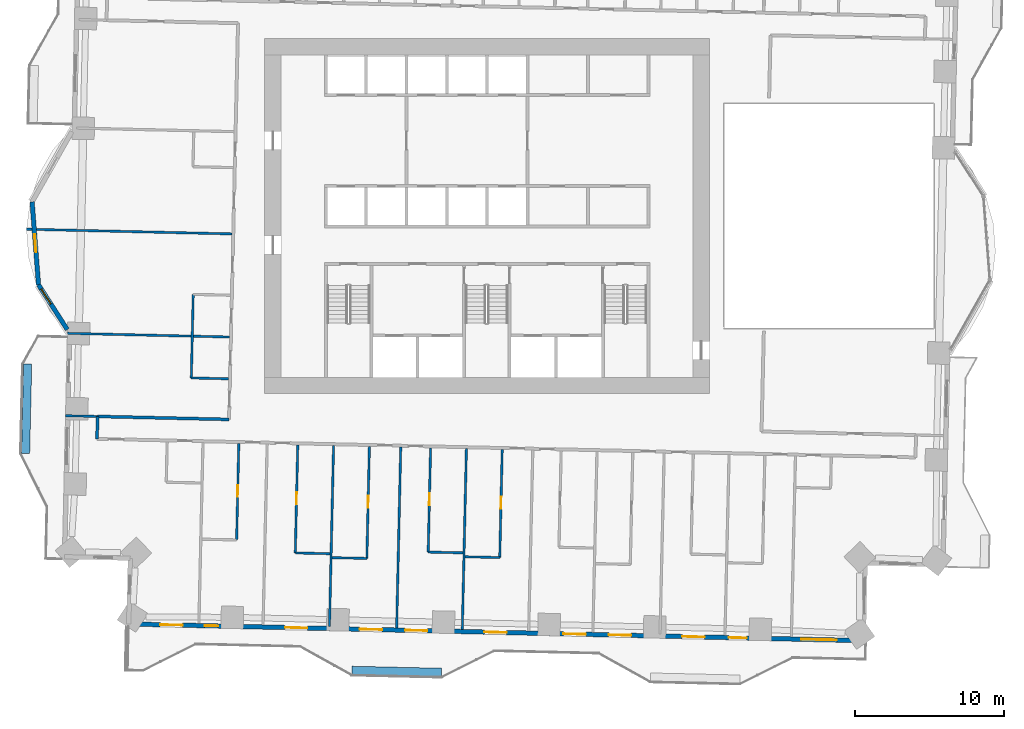
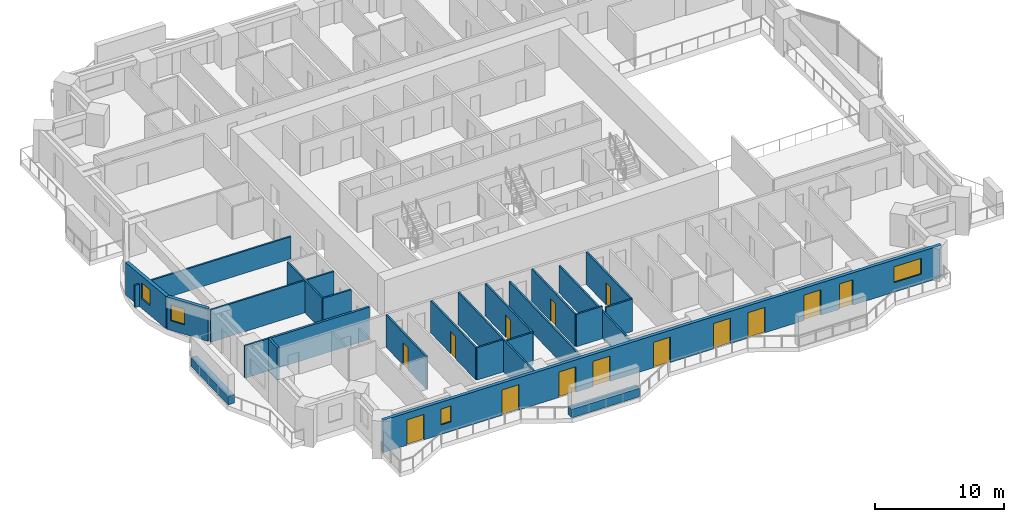
# One storey, part 7 of 18: 24 walls, 14 doors, 4 windows, 18 openings.
"""IFC4 building model written with IfcOpenShell, lengths in metres."""

from ifc_helpers import new_model, si_unit, direction, frame, frame_2d, origin, place, context, subcontext, project, spatial, rectangle, extrude, material, layer, layer_set, type_object, element, fill, save


model = new_model("IFC4")

# Units and contexts
model_context = context("Model", 3, precision=1e-05, world=origin(), true_north=direction((0.0, 1.0)))
body_context = subcontext(model_context, "Body", "Model", "MODEL_VIEW")
ifc_project = project(units=[si_unit("LENGTHUNIT", "METRE"), si_unit("AREAUNIT", "SQUARE_METRE"), si_unit("VOLUMEUNIT", "CUBIC_METRE"), si_unit("PLANEANGLEUNIT", "RADIAN"), si_unit("MASSUNIT", "GRAM", prefix="KILO")], contexts=[model_context])

# Site, building, storey
site_placement = place(None, origin())
site = spatial("IfcSite", under=ifc_project, at=site_placement, CompositionType="ELEMENT")
building_placement = place(site_placement, origin())
building = spatial("IfcBuilding", under=site, at=building_placement, Name="Mangrove Gate Tower", CompositionType="ELEMENT")
storey_placement = place(building_placement, frame((0.0, 0.0, 56.699951171875)))
storey = spatial("IfcBuildingStorey", under=building, at=storey_placement, Name="L13", CompositionType="ELEMENT", Elevation=56.699951171875)

# Walls
ifc_material_1 = material(Name="Gypsum board on steel stud, EI 60", Category="steel")
ifc_layer_1 = layer(ifc_material_1, 0.199951171875)
ifc_layer_set_1 = layer_set([ifc_layer_1], Name="Corridor wall EI 60")
wall_type_1 = type_object("IfcWallType", Name="Corridor wall EI 60", PredefinedType="PARTITIONING", material=ifc_layer_set_1)
wall_1_placement = place(storey_placement, frame((-26.1279296875, -14.924072265625, 0.0), z_axis=(0.0, 0.0, 1.0), x_axis=(0.022632637625, 0.99974384905, 0.0)))
element("IfcWall", 1, at=wall_1_placement, inside=storey, type_object=wall_type_1, Name="WALL-L13-033", PredefinedType="PARTITIONING", context=body_context, shape_type="SweptSolid", body=[
    extrude(rectangle(XDim=1.49951171875, YDim=0.199951171875, at=frame_2d((0.749755859375, 0.0))), origin(), (0.0, 0.0, 1.0), 3.050048828125),
])
wall_2_placement = place(storey_placement, frame((-26.092041015625, -13.425048828125, 0.0), z_axis=(0.0, 0.0, 1.0), x_axis=(0.999742550188, -0.022689939273, 0.0)))
element("IfcWall", 2, at=wall_2_placement, inside=storey, type_object=wall_type_1, Name="WALL-L13-037", PredefinedType="PARTITIONING", context=body_context, shape_type="SweptSolid", body=[
    extrude(rectangle(XDim=8.812255859375, YDim=0.199951171875, at=frame_2d((4.40625, 0.0))), origin(), (0.0, 0.0, 1.0), 3.050048828125),
])

# Wall, opening, window
ifc_material_2 = material(Name="Limestone", Category="masonry")
ifc_layer_2 = layer(ifc_material_2, 0.0400390625, Name="Limestone cladding")
ifc_material_3 = material(Name="Ventilated air gap")
ifc_layer_3 = layer(ifc_material_3, 0.0400390625, Name="Ventilated cavity")
ifc_material_4 = material(Name="Mineral wool insulation")
ifc_layer_4 = layer(ifc_material_4, 0.06005859375, Name="Insulation")
ifc_material_5 = material(Name="Breather membrane")
ifc_layer_5 = layer(ifc_material_5, 0.001953125, Name="Breather membrane")
ifc_material_6 = material(Name="Concrete C20/25 blockwork", Category="masonry")
ifc_layer_6 = layer(ifc_material_6, 0.14990234375, Name="Blockwork backing wall")
ifc_material_7 = material(Name="Gypsum plaster")
ifc_layer_7 = layer(ifc_material_7, 0.008056640625, Name="Internal plaster")
ifc_layer_set_2 = layer_set([ifc_layer_2, ifc_layer_3, ifc_layer_4, ifc_layer_5, ifc_layer_6, ifc_layer_7], Name="External wall 300 limestone cladding")
wall_type_2 = type_object("IfcWallType", Name="External wall 300 limestone cladding", PredefinedType="SOLIDWALL", material=ifc_layer_set_2)
wall_3_placement = place(storey_placement, frame((-30.47900390625, 0.951904296875, 0.0), z_axis=(0.0, 0.0, 1.0), x_axis=(0.076964476481, -0.997033835614, 0.0)))
wall_3 = element("IfcWall", 3, at=wall_3_placement, inside=storey, type_object=wall_type_2, Name="WALL-L13-W9f2", PredefinedType="SOLIDWALL", context=body_context, shape_type="SweptSolid", body=[
    extrude(rectangle(XDim=5.573486328125, YDim=0.300048828125, at=frame_2d((2.78662109375, 0.0))), origin(), (0.0, 0.0, 1.0), 3.050048828125),
])
opening_1_placement = place(wall_3_placement, frame((2.18603515625, 0.0, 0.89990234375)))
opening_1 = element("IfcOpeningElement", 4, at=opening_1_placement, cuts=wall_3, Name="Opening W1", PredefinedType="OPENING", context=body_context, shape_type="SweptSolid", body=[
    extrude(rectangle(XDim=1.199951171875, YDim=1.5, at=frame_2d((0.60009765625, 0.75))), frame((0.0, 0.159912109375, 0.0), z_axis=(0.0, -1.0, 0.0), x_axis=(1.0, 0.0, 0.0)), (0.0, 0.0, 1.0), 0.320068359375),
])
ifc_material_8 = material(Name="Aluminium frame with double-glazed low-e glass", Category="aluminium")
window_type_1 = type_object("IfcWindowType", Name="Side lite 1200x1500", PartitioningType="SINGLE_PANEL", PredefinedType="WINDOW", material=ifc_material_8)
window_1_placement = place(opening_1_placement, origin())
window_1 = element("IfcWindow", 5, at=window_1_placement, inside=storey, type_object=window_type_1, Name="WIN-L13-W9f2", OverallHeight=1.5, OverallWidth=1.199951171875, PartitioningType="SINGLE_PANEL", PredefinedType="WINDOW", context=body_context, shape_type="SweptSolid", body=[
    extrude(rectangle(XDim=1.199951171875, YDim=1.5, at=frame_2d((0.60009765625, 0.75))), frame((0.0, 0.030029296875, 0.0), z_axis=(0.0, -1.0, 0.0), x_axis=(1.0, 0.0, 0.0)), (0.0, 0.0, 1.0), 0.06005859375),
])
fill(opening_1, window_1)

wall_4_placement = place(storey_placement, frame((-30.050048828125, -4.60498046875, 0.0), z_axis=(0.0, 0.0, 1.0), x_axis=(0.540653885242, -0.841245134532, 0.0)))
wall_4 = element("IfcWall", 6, at=wall_4_placement, inside=storey, type_object=wall_type_2, Name="WALL-L13-W9f3", PredefinedType="SOLIDWALL", context=body_context, shape_type="SweptSolid", body=[
    extrude(rectangle(XDim=3.569580078125, YDim=0.300048828125, at=frame_2d((1.78466796875, 0.0))), origin(), (0.0, 0.0, 1.0), 3.050048828125),
])
opening_2_placement = place(wall_4_placement, frame((0.337890625, 0.0, 0.89990234375)))
opening_2 = element("IfcOpeningElement", 7, at=opening_2_placement, cuts=wall_4, Name="Opening W1", PredefinedType="OPENING", context=body_context, shape_type="SweptSolid", body=[
    extrude(rectangle(XDim=1.199951171875, YDim=1.5, at=frame_2d((0.60009765625, 0.75))), frame((0.0, 0.159912109375, 0.0), z_axis=(0.0, -1.0, 0.0), x_axis=(1.0, 0.0, 0.0)), (0.0, 0.0, 1.0), 0.320068359375),
])
window_2_placement = place(opening_2_placement, origin())
window_2 = element("IfcWindow", 8, at=window_2_placement, inside=storey, type_object=window_type_1, Name="WIN-L13-W9f3", OverallHeight=1.5, OverallWidth=1.199951171875, PartitioningType="SINGLE_PANEL", PredefinedType="WINDOW", context=body_context, shape_type="SweptSolid", body=[
    extrude(rectangle(XDim=1.199951171875, YDim=1.5, at=frame_2d((0.60009765625, 0.75))), frame((0.0, 0.030029296875, 0.0), z_axis=(0.0, -1.0, 0.0), x_axis=(1.0, 0.0, 0.0)), (0.0, 0.0, 1.0), 0.06005859375),
])
fill(opening_2, window_2)

# Wall, openings, doors, windows
wall_5_placement = place(storey_placement, frame((-24.007080078125, -27.325927734375, 0.0), z_axis=(0.0, 0.0, 1.0), x_axis=(0.999742536491, -0.022690542744, 0.0)))
wall_5 = element("IfcWall", 9, at=wall_5_placement, inside=storey, type_object=wall_type_2, Name="WALL-L13-S13", PredefinedType="SOLIDWALL", context=body_context, shape_type="SweptSolid", body=[
    extrude(rectangle(XDim=49.23583984375, YDim=0.300048828125, at=frame_2d((24.617919921875, 0.0))), origin(), (0.0, 0.0, 1.0), 3.050048828125),
])
opening_3_placement = place(wall_5_placement, frame((2.114990234375, 0.0, 0.0)))
opening_3 = element("IfcOpeningElement", 10, at=opening_3_placement, cuts=wall_5, Name="Opening BD1", PredefinedType="OPENING", context=body_context, shape_type="SweptSolid", body=[
    extrude(rectangle(XDim=1.5, YDim=2.39990234375, at=frame_2d((0.75, 1.199951171875))), frame((0.0, 0.159912109375, 0.0), z_axis=(0.0, -1.0, 0.0), x_axis=(1.0, 0.0, 0.0)), (0.0, 0.0, 1.0), 0.320068359375),
])
opening_4_placement = place(wall_5_placement, frame((5.087890625, 0.0, 0.89990234375)))
opening_4 = element("IfcOpeningElement", 11, at=opening_4_placement, cuts=wall_5, Name="Opening W5", PredefinedType="OPENING", context=body_context, shape_type="SweptSolid", body=[
    extrude(rectangle(XDim=0.89990234375, YDim=1.5, at=frame_2d((0.449951171875, 0.75))), frame((0.0, 0.159912109375, 0.0), z_axis=(0.0, -1.0, 0.0), x_axis=(1.0, 0.0, 0.0)), (0.0, 0.0, 1.0), 0.320068359375),
])
opening_5_placement = place(wall_5_placement, frame((10.47509765625, 0.0, 0.0)))
opening_5 = element("IfcOpeningElement", 12, at=opening_5_placement, cuts=wall_5, Name="Opening BD1", PredefinedType="OPENING", context=body_context, shape_type="SweptSolid", body=[
    extrude(rectangle(XDim=1.5, YDim=2.39990234375, at=frame_2d((0.75, 1.199951171875))), frame((0.0, 0.159912109375, 0.0), z_axis=(0.0, -1.0, 0.0), x_axis=(1.0, 0.0, 0.0)), (0.0, 0.0, 1.0), 0.320068359375),
])
opening_6_placement = place(wall_5_placement, frame((15.47705078125, 0.0, 0.0)))
opening_6 = element("IfcOpeningElement", 13, at=opening_6_placement, cuts=wall_5, Name="Opening BD1", PredefinedType="OPENING", context=body_context, shape_type="SweptSolid", body=[
    extrude(rectangle(XDim=1.5, YDim=2.39990234375, at=frame_2d((0.75, 1.199951171875))), frame((0.0, 0.159912109375, 0.0), z_axis=(0.0, -1.0, 0.0), x_axis=(1.0, 0.0, 0.0)), (0.0, 0.0, 1.0), 0.320068359375),
])
opening_7_placement = place(wall_5_placement, frame((18.514892578125, 0.0, 0.0)))
opening_7 = element("IfcOpeningElement", 14, at=opening_7_placement, cuts=wall_5, Name="Opening BD1", PredefinedType="OPENING", context=body_context, shape_type="SweptSolid", body=[
    extrude(rectangle(XDim=1.5, YDim=2.39990234375, at=frame_2d((0.75, 1.199951171875))), frame((0.0, 0.159912109375, 0.0), z_axis=(0.0, -1.0, 0.0), x_axis=(1.0, 0.0, 0.0)), (0.0, 0.0, 1.0), 0.320068359375),
])
opening_8_placement = place(wall_5_placement, frame((23.824951171875, 0.0, 0.0)))
opening_8 = element("IfcOpeningElement", 15, at=opening_8_placement, cuts=wall_5, Name="Opening BD1", PredefinedType="OPENING", context=body_context, shape_type="SweptSolid", body=[
    extrude(rectangle(XDim=1.5, YDim=2.39990234375, at=frame_2d((0.75, 1.199951171875))), frame((0.0, 0.159912109375, 0.0), z_axis=(0.0, -1.0, 0.0), x_axis=(1.0, 0.0, 0.0)), (0.0, 0.0, 1.0), 0.320068359375),
])
opening_9_placement = place(wall_5_placement, frame((29.1279296875, 0.0, 0.0)))
opening_9 = element("IfcOpeningElement", 16, at=opening_9_placement, cuts=wall_5, Name="Opening BD1", PredefinedType="OPENING", context=body_context, shape_type="SweptSolid", body=[
    extrude(rectangle(XDim=1.5, YDim=2.39990234375, at=frame_2d((0.75, 1.199951171875))), frame((0.0, 0.159912109375, 0.0), z_axis=(0.0, -1.0, 0.0), x_axis=(1.0, 0.0, 0.0)), (0.0, 0.0, 1.0), 0.320068359375),
])
opening_10_placement = place(wall_5_placement, frame((32.166015625, 0.0, 0.0)))
opening_10 = element("IfcOpeningElement", 17, at=opening_10_placement, cuts=wall_5, Name="Opening BD1", PredefinedType="OPENING", context=body_context, shape_type="SweptSolid", body=[
    extrude(rectangle(XDim=1.5, YDim=2.39990234375, at=frame_2d((0.75, 1.199951171875))), frame((0.0, 0.159912109375, 0.0), z_axis=(0.0, -1.0, 0.0), x_axis=(1.0, 0.0, 0.0)), (0.0, 0.0, 1.0), 0.320068359375),
])
opening_11_placement = place(wall_5_placement, frame((37.091064453125, 0.0, 0.0)))
opening_11 = element("IfcOpeningElement", 18, at=opening_11_placement, cuts=wall_5, Name="Opening BD1", PredefinedType="OPENING", context=body_context, shape_type="SweptSolid", body=[
    extrude(rectangle(XDim=1.5, YDim=2.39990234375, at=frame_2d((0.75, 1.199951171875))), frame((0.0, 0.159912109375, 0.0), z_axis=(0.0, -1.0, 0.0), x_axis=(1.0, 0.0, 0.0)), (0.0, 0.0, 1.0), 0.320068359375),
])
opening_12_placement = place(wall_5_placement, frame((40.205078125, 0.0, 0.0)))
opening_12 = element("IfcOpeningElement", 19, at=opening_12_placement, cuts=wall_5, Name="Opening BD2", PredefinedType="OPENING", context=body_context, shape_type="SweptSolid", body=[
    extrude(rectangle(XDim=1.199951171875, YDim=2.39990234375, at=frame_2d((0.60009765625, 1.199951171875))), frame((0.0, 0.159912109375, 0.0), z_axis=(0.0, -1.0, 0.0), x_axis=(1.0, 0.0, 0.0)), (0.0, 0.0, 1.0), 0.320068359375),
])
opening_13_placement = place(wall_5_placement, frame((45.047119140625, 0.0, 0.89990234375)))
opening_13 = element("IfcOpeningElement", 20, at=opening_13_placement, cuts=wall_5, Name="Opening W2", PredefinedType="OPENING", context=body_context, shape_type="SweptSolid", body=[
    extrude(rectangle(XDim=2.39990234375, YDim=1.5, at=frame_2d((1.199951171875, 0.75))), frame((0.0, 0.159912109375, 0.0), z_axis=(0.0, -1.0, 0.0), x_axis=(1.0, 0.0, 0.0)), (0.0, 0.0, 1.0), 0.320068359375),
])
ifc_material_9 = material(Name="Aluminium frame with laminated clear glass", Category="aluminium")
door_type_1 = type_object("IfcDoorType", Name="Balcony sliding door 1200x2400", OperationType="SLIDING_TO_LEFT", PredefinedType="DOOR", material=ifc_material_9)
door_1_placement = place(opening_12_placement, origin())
door_1 = element("IfcDoor", 21, at=door_1_placement, inside=storey, type_object=door_type_1, Name="DOOR-L13-S13-10", OperationType="SLIDING_TO_LEFT", OverallHeight=2.39990234375, OverallWidth=1.199951171875, PredefinedType="DOOR", context=body_context, shape_type="SweptSolid", body=[
    extrude(rectangle(XDim=1.199951171875, YDim=2.39990234375, at=frame_2d((0.60009765625, 1.199951171875))), frame((0.0, 0.02490234375, 0.0), z_axis=(0.0, -1.0, 0.0), x_axis=(1.0, 0.0, 0.0)), (0.0, 0.0, 1.0), 0.050048828125),
])
fill(opening_12, door_1)
ifc_material_10 = material(Name="Aluminium frame with laminated clear glass", Category="aluminium")
door_type_2 = type_object("IfcDoorType", Name="Balcony sliding door 1500x2400", OperationType="SLIDING_TO_LEFT", PredefinedType="DOOR", material=ifc_material_10)
door_2_placement = place(opening_3_placement, origin())
door_2 = element("IfcDoor", 22, at=door_2_placement, inside=storey, type_object=door_type_2, Name="DOOR-L13-S13-1", OperationType="SLIDING_TO_LEFT", OverallHeight=2.39990234375, OverallWidth=1.5, PredefinedType="DOOR", context=body_context, shape_type="SweptSolid", body=[
    extrude(rectangle(XDim=1.5, YDim=2.39990234375, at=frame_2d((0.75, 1.199951171875))), frame((0.0, 0.02490234375, 0.0), z_axis=(0.0, -1.0, 0.0), x_axis=(1.0, 0.0, 0.0)), (0.0, 0.0, 1.0), 0.050048828125),
])
fill(opening_3, door_2)
door_3_placement = place(opening_5_placement, origin())
door_3 = element("IfcDoor", 23, at=door_3_placement, inside=storey, type_object=door_type_2, Name="DOOR-L13-S13-3", OperationType="SLIDING_TO_LEFT", OverallHeight=2.39990234375, OverallWidth=1.5, PredefinedType="DOOR", context=body_context, shape_type="SweptSolid", body=[
    extrude(rectangle(XDim=1.5, YDim=2.39990234375, at=frame_2d((0.75, 1.199951171875))), frame((0.0, 0.02490234375, 0.0), z_axis=(0.0, -1.0, 0.0), x_axis=(1.0, 0.0, 0.0)), (0.0, 0.0, 1.0), 0.050048828125),
])
fill(opening_5, door_3)
door_4_placement = place(opening_6_placement, origin())
door_4 = element("IfcDoor", 24, at=door_4_placement, inside=storey, type_object=door_type_2, Name="DOOR-L13-S13-4", OperationType="SLIDING_TO_LEFT", OverallHeight=2.39990234375, OverallWidth=1.5, PredefinedType="DOOR", context=body_context, shape_type="SweptSolid", body=[
    extrude(rectangle(XDim=1.5, YDim=2.39990234375, at=frame_2d((0.75, 1.199951171875))), frame((0.0, 0.02490234375, 0.0), z_axis=(0.0, -1.0, 0.0), x_axis=(1.0, 0.0, 0.0)), (0.0, 0.0, 1.0), 0.050048828125),
])
fill(opening_6, door_4)
door_5_placement = place(opening_7_placement, origin())
door_5 = element("IfcDoor", 25, at=door_5_placement, inside=storey, type_object=door_type_2, Name="DOOR-L13-S13-5", OperationType="SLIDING_TO_LEFT", OverallHeight=2.39990234375, OverallWidth=1.5, PredefinedType="DOOR", context=body_context, shape_type="SweptSolid", body=[
    extrude(rectangle(XDim=1.5, YDim=2.39990234375, at=frame_2d((0.75, 1.199951171875))), frame((0.0, 0.02490234375, 0.0), z_axis=(0.0, -1.0, 0.0), x_axis=(1.0, 0.0, 0.0)), (0.0, 0.0, 1.0), 0.050048828125),
])
fill(opening_7, door_5)
door_6_placement = place(opening_8_placement, origin())
door_6 = element("IfcDoor", 26, at=door_6_placement, inside=storey, type_object=door_type_2, Name="DOOR-L13-S13-6", OperationType="SLIDING_TO_LEFT", OverallHeight=2.39990234375, OverallWidth=1.5, PredefinedType="DOOR", context=body_context, shape_type="SweptSolid", body=[
    extrude(rectangle(XDim=1.5, YDim=2.39990234375, at=frame_2d((0.75, 1.199951171875))), frame((0.0, 0.02490234375, 0.0), z_axis=(0.0, -1.0, 0.0), x_axis=(1.0, 0.0, 0.0)), (0.0, 0.0, 1.0), 0.050048828125),
])
fill(opening_8, door_6)
door_7_placement = place(opening_9_placement, origin())
door_7 = element("IfcDoor", 27, at=door_7_placement, inside=storey, type_object=door_type_2, Name="DOOR-L13-S13-7", OperationType="SLIDING_TO_LEFT", OverallHeight=2.39990234375, OverallWidth=1.5, PredefinedType="DOOR", context=body_context, shape_type="SweptSolid", body=[
    extrude(rectangle(XDim=1.5, YDim=2.39990234375, at=frame_2d((0.75, 1.199951171875))), frame((0.0, 0.02490234375, 0.0), z_axis=(0.0, -1.0, 0.0), x_axis=(1.0, 0.0, 0.0)), (0.0, 0.0, 1.0), 0.050048828125),
])
fill(opening_9, door_7)
door_8_placement = place(opening_10_placement, origin())
door_8 = element("IfcDoor", 28, at=door_8_placement, inside=storey, type_object=door_type_2, Name="DOOR-L13-S13-8", OperationType="SLIDING_TO_LEFT", OverallHeight=2.39990234375, OverallWidth=1.5, PredefinedType="DOOR", context=body_context, shape_type="SweptSolid", body=[
    extrude(rectangle(XDim=1.5, YDim=2.39990234375, at=frame_2d((0.75, 1.199951171875))), frame((0.0, 0.02490234375, 0.0), z_axis=(0.0, -1.0, 0.0), x_axis=(1.0, 0.0, 0.0)), (0.0, 0.0, 1.0), 0.050048828125),
])
fill(opening_10, door_8)
door_9_placement = place(opening_11_placement, origin())
door_9 = element("IfcDoor", 29, at=door_9_placement, inside=storey, type_object=door_type_2, Name="DOOR-L13-S13-9", OperationType="SLIDING_TO_LEFT", OverallHeight=2.39990234375, OverallWidth=1.5, PredefinedType="DOOR", context=body_context, shape_type="SweptSolid", body=[
    extrude(rectangle(XDim=1.5, YDim=2.39990234375, at=frame_2d((0.75, 1.199951171875))), frame((0.0, 0.02490234375, 0.0), z_axis=(0.0, -1.0, 0.0), x_axis=(1.0, 0.0, 0.0)), (0.0, 0.0, 1.0), 0.050048828125),
])
fill(opening_11, door_9)
ifc_material_11 = material(Name="Aluminium frame with double-glazed low-e glass", Category="aluminium")
window_type_2 = type_object("IfcWindowType", Name="Corner room window 2400x1500", PartitioningType="DOUBLE_PANEL_VERTICAL", PredefinedType="WINDOW", material=ifc_material_11)
window_3_placement = place(opening_13_placement, origin())
window_3 = element("IfcWindow", 30, at=window_3_placement, inside=storey, type_object=window_type_2, Name="WIN-L13-S13-11", OverallHeight=1.5, OverallWidth=2.39990234375, PartitioningType="DOUBLE_PANEL_VERTICAL", PredefinedType="WINDOW", context=body_context, shape_type="SweptSolid", body=[
    extrude(rectangle(XDim=2.39990234375, YDim=1.5, at=frame_2d((1.199951171875, 0.75))), frame((0.0, 0.030029296875, 0.0), z_axis=(0.0, -1.0, 0.0), x_axis=(1.0, 0.0, 0.0)), (0.0, 0.0, 1.0), 0.06005859375),
])
fill(opening_13, window_3)
ifc_material_12 = material(Name="Aluminium frame with double-glazed low-e glass", Category="aluminium")
window_type_3 = type_object("IfcWindowType", Name="Narrow window 900x1500", PartitioningType="SINGLE_PANEL", PredefinedType="WINDOW", material=ifc_material_12)
window_4_placement = place(opening_4_placement, origin())
window_4 = element("IfcWindow", 31, at=window_4_placement, inside=storey, type_object=window_type_3, Name="WIN-L13-S13-2", OverallHeight=1.5, OverallWidth=0.89990234375, PartitioningType="SINGLE_PANEL", PredefinedType="WINDOW", context=body_context, shape_type="SweptSolid", body=[
    extrude(rectangle(XDim=0.89990234375, YDim=1.5, at=frame_2d((0.449951171875, 0.75))), frame((0.0, 0.030029296875, 0.0), z_axis=(0.0, -1.0, 0.0), x_axis=(1.0, 0.0, 0.0)), (0.0, 0.0, 1.0), 0.06005859375),
])
fill(opening_4, window_4)

# Walls
ifc_material_13 = material(Name="Gypsum board on steel stud, EI 60", Category="steel")
ifc_layer_8 = layer(ifc_material_13, 0.14990234375)
ifc_layer_set_3 = layer_set([ifc_layer_8], Name="Party wall 150 EI 60")
wall_type_3 = type_object("IfcWallType", Name="Party wall 150 EI 60", PredefinedType="PARTITIONING", material=ifc_layer_set_3)
wall_6_placement = place(storey_placement, frame((-10.55908203125, -27.48095703125, 0.0), z_axis=(0.0, 0.0, 1.0), x_axis=(0.022658614335, 0.999743260641, 0.0)))
element("IfcWall", 32, at=wall_6_placement, inside=storey, type_object=wall_type_3, Name="WALL-L13-003", PredefinedType="PARTITIONING", context=body_context, shape_type="SweptSolid", body=[
    extrude(rectangle(XDim=12.10009765625, YDim=0.14990234375, at=frame_2d((6.050048828125, 0.0))), origin(), (0.0, 0.0, 1.0), 3.050048828125),
])
wall_7_placement = place(storey_placement, frame((-6.06005859375, -27.5830078125, 0.0), z_axis=(0.0, 0.0, 1.0), x_axis=(0.022658614335, 0.999743260641, 0.0)))
element("IfcWall", 33, at=wall_7_placement, inside=storey, type_object=wall_type_3, Name="WALL-L13-004", PredefinedType="PARTITIONING", context=body_context, shape_type="SweptSolid", body=[
    extrude(rectangle(XDim=12.10009765625, YDim=0.14990234375, at=frame_2d((6.050048828125, 0.0))), origin(), (0.0, 0.0, 1.0), 2.550048828125),
])
wall_8_placement = place(storey_placement, frame((-1.660888671875, -27.68310546875, 0.0), z_axis=(0.0, 0.0, 1.0), x_axis=(0.022637991173, 0.99974372784, 0.0)))
element("IfcWall", 34, at=wall_8_placement, inside=storey, type_object=wall_type_3, Name="WALL-L13-005", PredefinedType="PARTITIONING", context=body_context, shape_type="SweptSolid", body=[
    extrude(rectangle(XDim=12.100341796875, YDim=0.14990234375, at=frame_2d((6.05029296875, 0.0))), origin(), (0.0, 0.0, 1.0), 2.550048828125),
])
wall_9_placement = place(storey_placement, frame((-10.3779296875, -22.884033203125, 0.0), z_axis=(0.0, 0.0, 1.0), x_axis=(0.999749954681, -0.022361308448, 0.0)))
element("IfcWall", 35, at=wall_9_placement, inside=storey, type_object=wall_type_3, Name="WALL-L13-011", PredefinedType="PARTITIONING", context=body_context, shape_type="SweptSolid", body=[
    extrude(rectangle(XDim=2.325439453125, YDim=0.14990234375, at=frame_2d((1.16259765625, 0.0))), origin(), (0.0, 0.0, 1.0), 3.050048828125),
])

# Wall, opening, door
wall_10_placement = place(storey_placement, frame((-8.054931640625, -22.93603515625, 0.0), z_axis=(0.0, 0.0, 1.0), x_axis=(0.022656334507, 0.999743312309, 0.0)))
wall_10 = element("IfcWall", 36, at=wall_10_placement, inside=storey, type_object=wall_type_3, Name="WALL-L13-012", PredefinedType="PARTITIONING", context=body_context, shape_type="SweptSolid", body=[
    extrude(rectangle(XDim=7.5, YDim=0.14990234375, at=frame_2d((3.75, 0.0))), origin(), (0.0, 0.0, 1.0), 3.050048828125),
])
opening_14_placement = place(wall_10_placement, frame((3.39990234375, 0.0, 0.0)))
opening_14 = element("IfcOpeningElement", 37, at=opening_14_placement, cuts=wall_10, Name="Opening ED", PredefinedType="OPENING", context=body_context, shape_type="SweptSolid", body=[
    extrude(rectangle(XDim=0.800048828125, YDim=2.10009765625, at=frame_2d((0.39990234375, 1.050048828125))), frame((0.0, 0.0849609375, 0.0), z_axis=(0.0, -1.0, 0.0), x_axis=(1.0, 0.0, 0.0)), (0.0, 0.0, 1.0), 0.169921875),
])
ifc_material_14 = material(Name="Timber door leaf", Category="wood")
door_type_3 = type_object("IfcDoorType", Name="En-suite door 800", OperationType="SINGLE_SWING_LEFT", PredefinedType="DOOR", material=ifc_material_14)
door_10_placement = place(opening_14_placement, origin())
door_10 = element("IfcDoor", 38, at=door_10_placement, inside=storey, type_object=door_type_3, Name="DOOR-L13-ENS-c103", OperationType="SINGLE_SWING_LEFT", OverallHeight=2.10009765625, OverallWidth=0.800048828125, PredefinedType="DOOR", context=body_context, shape_type="SweptSolid", body=[
    extrude(rectangle(XDim=0.800048828125, YDim=2.10009765625, at=frame_2d((0.39990234375, 1.050048828125))), frame((0.0, 0.02490234375, 0.0), z_axis=(0.0, -1.0, 0.0), x_axis=(1.0, 0.0, 0.0)), (0.0, 0.0, 1.0), 0.050048828125),
])
fill(opening_14, door_10)

wall_11_placement = place(storey_placement, frame((-12.847900390625, -22.568115234375, 0.0), z_axis=(0.0, 0.0, 1.0), x_axis=(0.022624135841, 0.999744041481, 0.0)))
wall_11 = element("IfcWall", 39, at=wall_11_placement, inside=storey, type_object=wall_type_3, Name="WALL-L13-015", PredefinedType="PARTITIONING", context=body_context, shape_type="SweptSolid", body=[
    extrude(rectangle(XDim=7.240966796875, YDim=0.14990234375, at=frame_2d((3.62060546875, 0.0))), origin(), (0.0, 0.0, 1.0), 3.050048828125),
])
opening_15_placement = place(wall_11_placement, frame((3.27001953125, 0.0, 0.0)))
opening_15 = element("IfcOpeningElement", 40, at=opening_15_placement, cuts=wall_11, Name="Opening ED", PredefinedType="OPENING", context=body_context, shape_type="SweptSolid", body=[
    extrude(rectangle(XDim=0.800048828125, YDim=2.10009765625, at=frame_2d((0.39990234375, 1.050048828125))), frame((0.0, 0.0849609375, 0.0), z_axis=(0.0, -1.0, 0.0), x_axis=(1.0, 0.0, 0.0)), (0.0, 0.0, 1.0), 0.169921875),
])
door_11_placement = place(opening_15_placement, origin())
door_11 = element("IfcDoor", 41, at=door_11_placement, inside=storey, type_object=door_type_3, Name="DOOR-L13-ENS-c102", OperationType="SINGLE_SWING_RIGHT", OverallHeight=2.10009765625, OverallWidth=0.800048828125, PredefinedType="DOOR", context=body_context, shape_type="SweptSolid", body=[
    extrude(rectangle(XDim=0.800048828125, YDim=2.10009765625, at=frame_2d((0.39990234375, 1.050048828125))), frame((0.0, 0.02490234375, 0.0), z_axis=(0.0, -1.0, 0.0), x_axis=(1.0, 0.0, 0.0)), (0.0, 0.0, 1.0), 0.050048828125),
])
fill(opening_15, door_11)

# Walls
wall_12_placement = place(storey_placement, frame((-12.845947265625, -22.568115234375, 0.0), z_axis=(0.0, 0.0, 1.0), x_axis=(0.999749744571, -0.022370700241, 0.0)))
element("IfcWall", 42, at=wall_12_placement, inside=storey, type_object=wall_type_3, Name="WALL-L13-016", PredefinedType="PARTITIONING", context=body_context, shape_type="SweptSolid", body=[
    extrude(rectangle(XDim=2.324462890625, YDim=0.14990234375, at=frame_2d((1.162109375, 0.0))), origin(), (0.0, 0.0, 1.0), 3.050048828125),
])
wall_13_placement = place(storey_placement, frame((-1.47412109375, -22.825927734375, 0.0), z_axis=(0.0, 0.0, 1.0), x_axis=(0.999749797124, -0.022368351553, 0.0)))
element("IfcWall", 43, at=wall_13_placement, inside=storey, type_object=wall_type_3, Name="WALL-L13-017", PredefinedType="PARTITIONING", context=body_context, shape_type="SweptSolid", body=[
    extrude(rectangle(XDim=2.32470703125, YDim=0.14990234375, at=frame_2d((1.162353515625, 0.0))), origin(), (0.0, 0.0, 1.0), 3.050048828125),
])

# Wall, opening, door
wall_14_placement = place(storey_placement, frame((0.847900390625, -22.8779296875, 0.0), z_axis=(0.0, 0.0, 1.0), x_axis=(0.022660891034, 0.999743209038, 0.0)))
wall_14 = element("IfcWall", 44, at=wall_14_placement, inside=storey, type_object=wall_type_3, Name="WALL-L13-018", PredefinedType="PARTITIONING", context=body_context, shape_type="SweptSolid", body=[
    extrude(rectangle(XDim=7.239990234375, YDim=0.14990234375, at=frame_2d((3.6201171875, 0.0))), origin(), (0.0, 0.0, 1.0), 3.050048828125),
])
opening_16_placement = place(wall_14_placement, frame((3.27001953125, 0.0, 0.0)))
opening_16 = element("IfcOpeningElement", 45, at=opening_16_placement, cuts=wall_14, Name="Opening ED", PredefinedType="OPENING", context=body_context, shape_type="SweptSolid", body=[
    extrude(rectangle(XDim=0.800048828125, YDim=2.10009765625, at=frame_2d((0.39990234375, 1.050048828125))), frame((0.0, 0.0849609375, 0.0), z_axis=(0.0, -1.0, 0.0), x_axis=(1.0, 0.0, 0.0)), (0.0, 0.0, 1.0), 0.169921875),
])
door_12_placement = place(opening_16_placement, origin())
door_12 = element("IfcDoor", 46, at=door_12_placement, inside=storey, type_object=door_type_3, Name="DOOR-L13-ENS-c205", OperationType="SINGLE_SWING_LEFT", OverallHeight=2.10009765625, OverallWidth=0.800048828125, PredefinedType="DOOR", context=body_context, shape_type="SweptSolid", body=[
    extrude(rectangle(XDim=0.800048828125, YDim=2.10009765625, at=frame_2d((0.39990234375, 1.050048828125))), frame((0.0, 0.02490234375, 0.0), z_axis=(0.0, -1.0, 0.0), x_axis=(1.0, 0.0, 0.0)), (0.0, 0.0, 1.0), 0.050048828125),
])
fill(opening_16, door_12)

wall_15_placement = place(storey_placement, frame((-3.945068359375, -22.510009765625, 0.0), z_axis=(0.0, 0.0, 1.0), x_axis=(0.022802437343, 0.999739990623, 0.0)))
wall_15 = element("IfcWall", 47, at=wall_15_placement, inside=storey, type_object=wall_type_3, Name="WALL-L13-021", PredefinedType="PARTITIONING", context=body_context, shape_type="SweptSolid", body=[
    extrude(rectangle(XDim=6.980712890625, YDim=0.14990234375, at=frame_2d((3.490234375, 0.0))), origin(), (0.0, 0.0, 1.0), 3.050048828125),
])
opening_17_placement = place(wall_15_placement, frame((3.139892578125, 0.0, 0.0)))
opening_17 = element("IfcOpeningElement", 48, at=opening_17_placement, cuts=wall_15, Name="Opening ED", PredefinedType="OPENING", context=body_context, shape_type="SweptSolid", body=[
    extrude(rectangle(XDim=0.800048828125, YDim=2.10009765625, at=frame_2d((0.39990234375, 1.050048828125))), frame((0.0, 0.0849609375, 0.0), z_axis=(0.0, -1.0, 0.0), x_axis=(1.0, 0.0, 0.0)), (0.0, 0.0, 1.0), 0.169921875),
])
door_13_placement = place(opening_17_placement, origin())
door_13 = element("IfcDoor", 49, at=door_13_placement, inside=storey, type_object=door_type_3, Name="DOOR-L13-ENS-c104", OperationType="SINGLE_SWING_RIGHT", OverallHeight=2.10009765625, OverallWidth=0.800048828125, PredefinedType="DOOR", context=body_context, shape_type="SweptSolid", body=[
    extrude(rectangle(XDim=0.800048828125, YDim=2.10009765625, at=frame_2d((0.39990234375, 1.050048828125))), frame((0.0, 0.02490234375, 0.0), z_axis=(0.0, -1.0, 0.0), x_axis=(1.0, 0.0, 0.0)), (0.0, 0.0, 1.0), 0.050048828125),
])
fill(opening_17, door_13)

# Wall
wall_16_placement = place(storey_placement, frame((-3.943115234375, -22.510009765625, 0.0), z_axis=(0.0, 0.0, 1.0), x_axis=(0.999750007167, -0.022358961731, 0.0)))
element("IfcWall", 50, at=wall_16_placement, inside=storey, type_object=wall_type_3, Name="WALL-L13-022", PredefinedType="PARTITIONING", context=body_context, shape_type="SweptSolid", body=[
    extrude(rectangle(XDim=2.32568359375, YDim=0.14990234375, at=frame_2d((1.162841796875, 0.0))), origin(), (0.0, 0.0, 1.0), 3.050048828125),
])

# Wall, opening, door
wall_17_placement = place(storey_placement, frame((-16.780029296875, -21.697998046875, 0.0), z_axis=(0.0, 0.0, 1.0), x_axis=(0.022752312182, 0.999741132639, 0.0)))
wall_17 = element("IfcWall", 51, at=wall_17_placement, inside=storey, type_object=wall_type_3, Name="WALL-L13-026", PredefinedType="PARTITIONING", context=body_context, shape_type="SweptSolid", body=[
    extrude(rectangle(XDim=6.459716796875, YDim=0.14990234375, at=frame_2d((3.22998046875, 0.0))), origin(), (0.0, 0.0, 1.0), 3.050048828125),
])
opening_18_placement = place(wall_17_placement, frame((2.8798828125, 0.0, 0.0)))
opening_18 = element("IfcOpeningElement", 52, at=opening_18_placement, cuts=wall_17, Name="Opening ED", PredefinedType="OPENING", context=body_context, shape_type="SweptSolid", body=[
    extrude(rectangle(XDim=0.800048828125, YDim=2.10009765625, at=frame_2d((0.39990234375, 1.050048828125))), frame((0.0, 0.0849609375, 0.0), z_axis=(0.0, -1.0, 0.0), x_axis=(1.0, 0.0, 0.0)), (0.0, 0.0, 1.0), 0.169921875),
])
door_14_placement = place(opening_18_placement, origin())
door_14 = element("IfcDoor", 53, at=door_14_placement, inside=storey, type_object=door_type_3, Name="DOOR-L13-ENS-c101", OperationType="SINGLE_SWING_LEFT", OverallHeight=2.10009765625, OverallWidth=0.800048828125, PredefinedType="DOOR", context=body_context, shape_type="SweptSolid", body=[
    extrude(rectangle(XDim=0.800048828125, YDim=2.10009765625, at=frame_2d((0.39990234375, 1.050048828125))), frame((0.0, 0.02490234375, 0.0), z_axis=(0.0, -1.0, 0.0), x_axis=(1.0, 0.0, 0.0)), (0.0, 0.0, 1.0), 0.050048828125),
])
fill(opening_18, door_14)

# Walls
wall_18_placement = place(storey_placement, frame((-28.241943359375, -13.3759765625, 0.0), z_axis=(0.0, 0.0, 1.0), x_axis=(0.999739603527, -0.022819402715, 0.0)))
element("IfcWall", 54, at=wall_18_placement, inside=storey, type_object=wall_type_3, Name="WALL-L13-036", PredefinedType="PARTITIONING", context=body_context, shape_type="SweptSolid", body=[
    extrude(rectangle(XDim=2.150390625, YDim=0.14990234375, at=frame_2d((1.0751953125, 0.0))), origin(), (0.0, 0.0, 1.0), 3.050048828125),
])
wall_19_placement = place(storey_placement, frame((-19.819091796875, -10.845947265625, 0.0), z_axis=(0.0, 0.0, 1.0), x_axis=(0.999738801317, -0.022854521249, 0.0)))
element("IfcWall", 55, at=wall_19_placement, inside=storey, type_object=wall_type_3, Name="WALL-L13-042", PredefinedType="PARTITIONING", context=body_context, shape_type="SweptSolid", body=[
    extrude(rectangle(XDim=2.499755859375, YDim=0.14990234375, at=frame_2d((1.25, 0.0))), origin(), (0.0, 0.0, 1.0), 3.050048828125),
])
wall_20_placement = place(storey_placement, frame((-19.81396484375, -10.842041015625, 0.0), z_axis=(0.0, 0.0, 1.0), x_axis=(0.022667933447, 0.999743049385, 0.0)))
element("IfcWall", 56, at=wall_20_placement, inside=storey, type_object=wall_type_3, Name="WALL-L13-043", PredefinedType="PARTITIONING", context=body_context, shape_type="SweptSolid", body=[
    extrude(rectangle(XDim=5.6005859375, YDim=0.14990234375, at=frame_2d((2.80029296875, 0.0))), origin(), (0.0, 0.0, 1.0), 3.050048828125),
])
wall_21_placement = place(storey_placement, frame((-28.115966796875, -7.85693359375, 0.0), z_axis=(0.0, 0.0, 1.0), x_axis=(0.999741301527, -0.022744890004, 0.0)))
element("IfcWall", 57, at=wall_21_placement, inside=storey, type_object=wall_type_3, Name="WALL-L13-044", PredefinedType="PARTITIONING", context=body_context, shape_type="SweptSolid", body=[
    extrude(rectangle(XDim=10.86279296875, YDim=0.14990234375, at=frame_2d((5.431396484375, 0.0))), origin(), (0.0, 0.0, 1.0), 3.050048828125),
])
wall_22_placement = place(storey_placement, frame((-30.85595703125, -0.883056640625, 0.0), z_axis=(0.0, 0.0, 1.0), x_axis=(0.999741248952, -0.022747200787, 0.0)))
element("IfcWall", 58, at=wall_22_placement, inside=storey, type_object=wall_type_3, Name="WALL-L13-046", PredefinedType="PARTITIONING", context=body_context, shape_type="SweptSolid", body=[
    extrude(rectangle(XDim=13.759521484375, YDim=0.14990234375, at=frame_2d((6.8798828125, 0.0))), origin(), (0.0, 0.0, 1.0), 2.10009765625),
])
ifc_material_15 = material(Name="Concrete C32/40", Category="concrete")
ifc_layer_9 = layer(ifc_material_15, 0.199951171875, Name="Planter trough wall")
ifc_material_16 = material(Name="Bituminous waterproofing membrane")
ifc_layer_10 = layer(ifc_material_16, 0.0048828125, Name="Waterproofing")
ifc_material_17 = material(Name="Drainage board and gravel")
ifc_layer_11 = layer(ifc_material_17, 0.044921875, Name="Drainage layer")
ifc_material_18 = material(Name="Planting soil")
ifc_layer_12 = layer(ifc_material_18, 0.300048828125, Name="Growing medium")
ifc_layer_set_4 = layer_set([ifc_layer_9, ifc_layer_10, ifc_layer_11, ifc_layer_12], Name="Planter wall 550 C32/40")
wall_type_4 = type_object("IfcWallType", Name="Planter wall 550 C32/40", PredefinedType="USERDEFINED", material=ifc_layer_set_4)
wall_23_placement = place(storey_placement, frame((-30.9150390625, -15.916015625, 0.0), z_axis=(0.0, 0.0, 1.0), x_axis=(0.022662255828, 0.999743178102, 0.0)))
element("IfcWall", 59, at=wall_23_placement, inside=storey, type_object=wall_type_4, Name="PLANTER L13 W1.1", ObjectType="PLANTER", PredefinedType="USERDEFINED", context=body_context, shape_type="SweptSolid", body=[
    extrude(rectangle(XDim=6.00048828125, YDim=0.550048828125, at=frame_2d((3.000244140625, 0.0))), origin(), (0.0, 0.0, 1.0), 0.800048828125),
])
wall_24_placement = place(storey_placement, frame((-9.055908203125, -30.430908203125, 0.0), z_axis=(0.0, 0.0, 1.0), x_axis=(0.999743073592, -0.022666865795, 0.0)))
element("IfcWall", 60, at=wall_24_placement, inside=storey, type_object=wall_type_4, Name="PLANTER L13 S0.1", ObjectType="PLANTER", PredefinedType="USERDEFINED", context=body_context, shape_type="SweptSolid", body=[
    extrude(rectangle(XDim=5.999267578125, YDim=0.550048828125, at=frame_2d((2.99951171875, 0.0))), origin(), (0.0, 0.0, 1.0), 0.800048828125),
])

save(model, "model.ifc")
